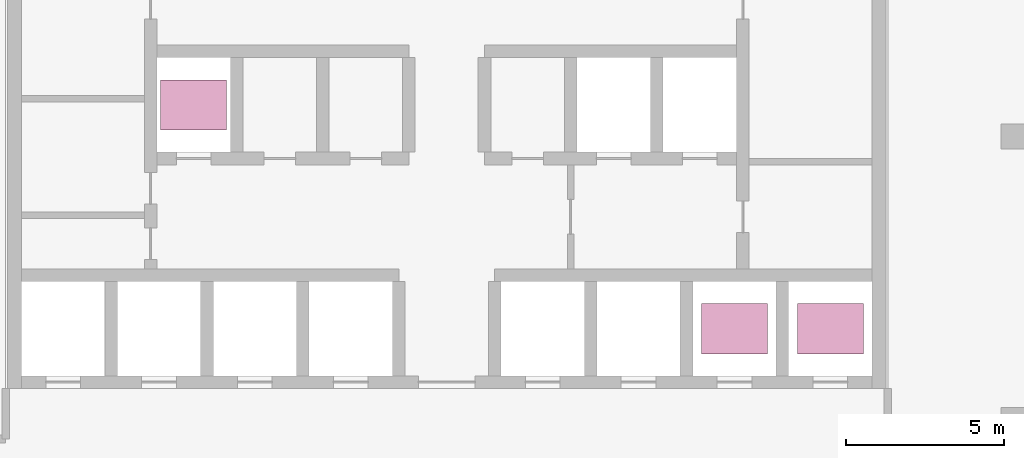
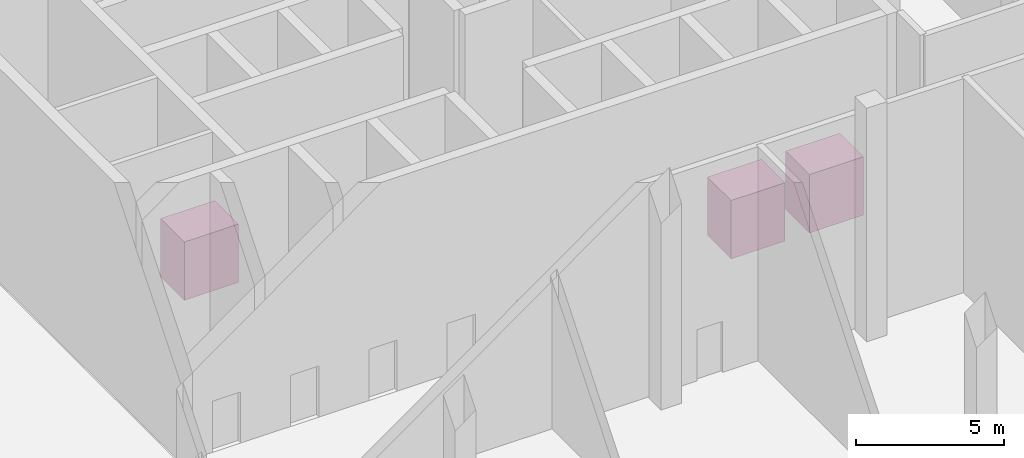
# One storey, part 16 of 16: 3 transport elements.
"""IFC4 building model written with IfcOpenShell, lengths in metres."""

from ifc_helpers import new_model, si_unit, direction, frame, origin, origin_2d, place, context, subcontext, project, spatial, rectangle, extrude, material, type_object, element, save


model = new_model("IFC4")

# Units and contexts
model_context = context("Model", 3, precision=1e-05, world=origin(), true_north=direction((0.0, 1.0)))
body_context = subcontext(model_context, "Body", "Model", "MODEL_VIEW")
ifc_project = project(units=[si_unit("LENGTHUNIT", "METRE"), si_unit("AREAUNIT", "SQUARE_METRE"), si_unit("VOLUMEUNIT", "CUBIC_METRE"), si_unit("PLANEANGLEUNIT", "RADIAN"), si_unit("MASSUNIT", "GRAM", prefix="KILO")], contexts=[model_context])

# Site, building, storey
site_placement = place(None, origin())
site = spatial("IfcSite", under=ifc_project, at=site_placement, CompositionType="ELEMENT")
building_placement = place(site_placement, origin())
building = spatial("IfcBuilding", under=site, at=building_placement, Name="Vidyagriha Tower", CompositionType="ELEMENT")
storey_placement = place(building_placement, frame((0.0, 0.0, 151.800048828125)))
storey = spatial("IfcBuildingStorey", under=building, at=storey_placement, Name="L40", CompositionType="ELEMENT", Elevation=151.800048828125)

# Transport elements
ifc_material = material(Name="Stainless steel lift car", Category="steel")
transport_element_type = type_object("IfcTransportElementType", Name="Lift car mid-rise 2100 x 1600 mm", PredefinedType="ELEVATOR", material=ifc_material)
for number, where, name in (
    (1, (9.13330078125, 4.89990234375, 0.0), "Lift MR1"),
    (2, (12.177734375, 4.89990234375, 0.0), "Lift MR2"),
    (3, (-8.033447265625, 12.0, 0.0), "Lift MR3"),
):
    element("IfcTransportElement", number, at=place(storey_placement, frame(where)), inside=storey, type_object=transport_element_type, Name=name, PredefinedType="ELEVATOR", context=body_context, shape_type="SweptSolid", body=[
        extrude(rectangle(XDim=2.10009765625, YDim=1.60009765625, at=origin_2d()), origin(), (0.0, 0.0, 1.0), 2.39990234375),
    ])

save(model, "model.ifc")
